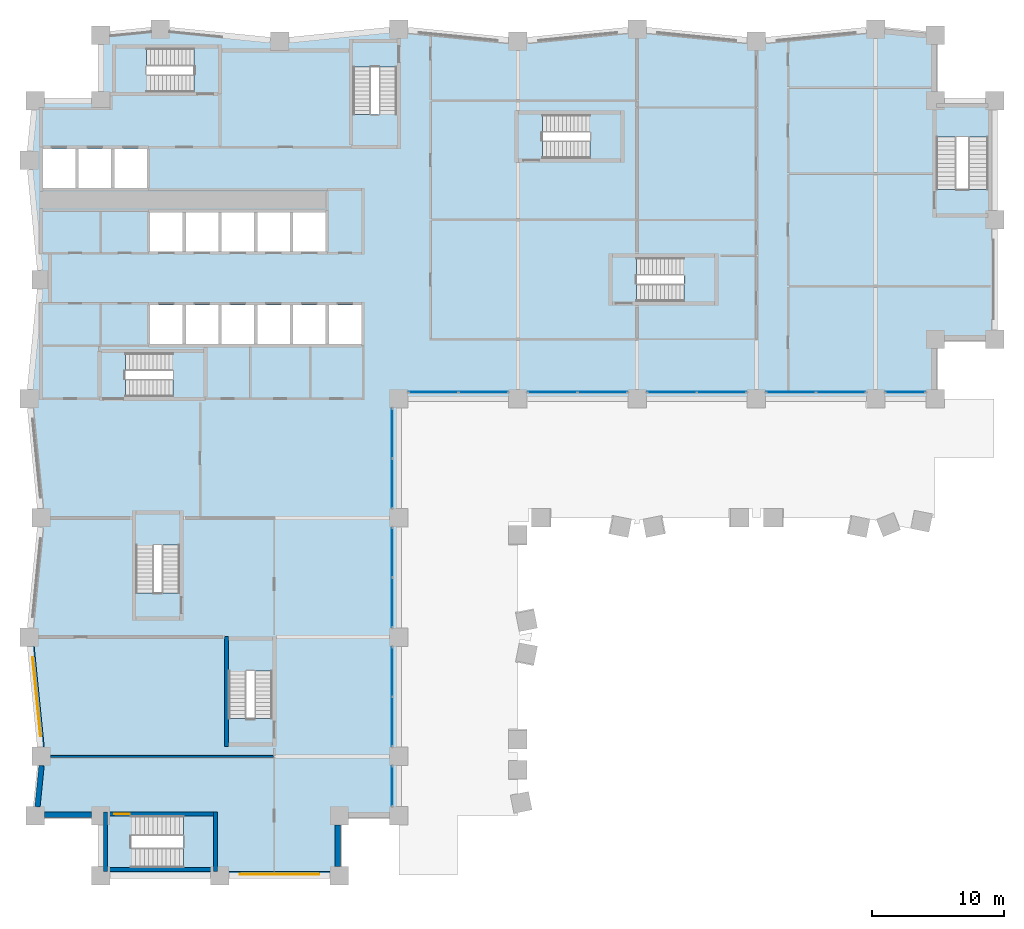
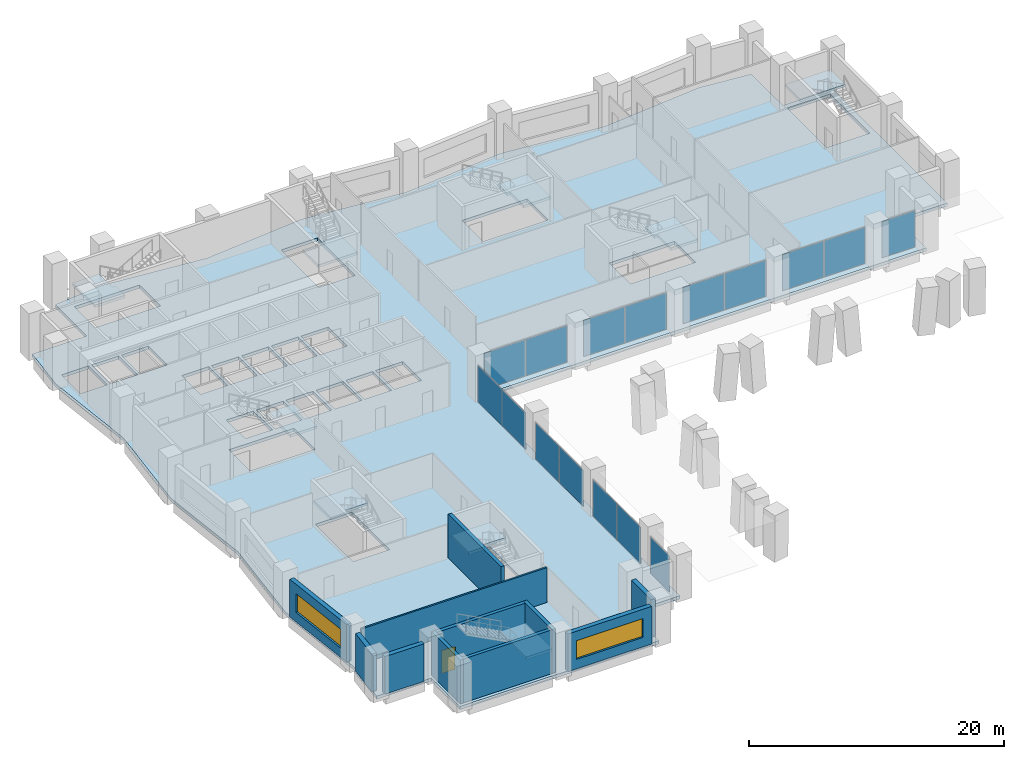
# One storey, part 9 of 18: 16 plates, 11 walls, 10 slabs, 2 windows, 1 door, 3 openings, 18 elements without a shape of their own.
"""IFC4 building model written with IfcOpenShell, lengths in metres."""

from ifc_helpers import new_model, si_unit, direction, frame, frame_2d, origin, origin_2d, place, context, subcontext, project, spatial, polyline, rectangle, outline, extrude, material, layer, layer_set, type_object, element, fill, aggregate, save


model = new_model("IFC4")

# Units and contexts
model_context = context("Model", 3, precision=1e-05, world=origin(), true_north=direction((0.0, 1.0)))
body_context = subcontext(model_context, "Body", "Model", "MODEL_VIEW")
ifc_project = project(units=[si_unit("LENGTHUNIT", "METRE"), si_unit("AREAUNIT", "SQUARE_METRE"), si_unit("VOLUMEUNIT", "CUBIC_METRE"), si_unit("PLANEANGLEUNIT", "RADIAN"), si_unit("MASSUNIT", "GRAM", prefix="KILO")], contexts=[model_context])

# Site, building, storey
site_placement = place(None, origin())
site = spatial("IfcSite", under=ifc_project, at=site_placement, CompositionType="ELEMENT")
building_placement = place(site_placement, origin())
building = spatial("IfcBuilding", under=site, at=building_placement, Name="Brondeck Convention Tower", CompositionType="ELEMENT")
storey_placement = place(building_placement, frame((0.0, 0.0, 27.5)))
storey = spatial("IfcBuildingStorey", under=building, at=storey_placement, Name="L04", CompositionType="ELEMENT", Elevation=27.5)

# Curtain wall, plate
ifc_material_1 = material(Name="Aluminium, bronze anodised", Category="aluminium")
curtain_wall_type = type_object("IfcCurtainWallType", Name="Podium hall curtain wall", PredefinedType="NOTDEFINED", material=ifc_material_1)
curtain_wall_1_placement = place(storey_placement, origin())
curtain_wall_1 = element("IfcCurtainWall", 1, at=curtain_wall_1_placement, inside=storey, type_object=curtain_wall_type, Name="ENV-CW2-L04-B-E-06", PredefinedType="NOTDEFINED")
ifc_material_2 = material(Name="Bronze tinted laminated glass", Category="glass")
ifc_layer_1 = layer(ifc_material_2, 0.009033203125, Name="Outer pane")
ifc_material_3 = material(Name="Argon-filled cavity")
ifc_layer_2 = layer(ifc_material_3, 0.011962890625, Name="Cavity")
ifc_material_4 = material(Name="Clear low-emissivity glass", Category="glass")
ifc_layer_3 = layer(ifc_material_4, 0.009033203125, Name="Inner pane")
ifc_layer_set_1 = layer_set([ifc_layer_1, ifc_layer_2, ifc_layer_3], Name="CW2 glazing panel")
plate_type = type_object("IfcPlateType", Name="CW2 glazing panel", PredefinedType="CURTAIN_PANEL", material=ifc_layer_set_1)
plate_1_placement = place(storey_placement, frame((26.5, 6.75, 0.06005859375), z_axis=(0.0, 0.0, 1.0), x_axis=(0.0, -1.0, 0.0)))
plate_1 = element("IfcPlate", 2, at=plate_1_placement, type_object=plate_type, Name="CW2 panel 1.1", PredefinedType="CURTAIN_PANEL", context=body_context, shape_type="SweptSolid", body=[
    extrude(rectangle(XDim=2.97998046875, YDim=0.030029296875, at=origin_2d()), origin(), (0.0, 0.0, 1.0), 3.47998046875),
])
aggregate(curtain_wall_1, [plate_1])

# Curtain wall, plates
curtain_wall_2_placement = place(storey_placement, origin())
curtain_wall_2 = element("IfcCurtainWall", 3, at=curtain_wall_2_placement, inside=storey, type_object=curtain_wall_type, Name="ENV-CW2-L04-B-E-05", PredefinedType="NOTDEFINED")
plate_2_placement = place(storey_placement, frame((26.5, 15.385009765625, 0.06005859375), z_axis=(0.0, 0.0, 1.0), x_axis=(0.0, -1.0, 0.0)))
plate_2 = element("IfcPlate", 4, at=plate_2_placement, type_object=plate_type, Name="CW2 panel 1.1", PredefinedType="CURTAIN_PANEL", context=body_context, shape_type="SweptSolid", body=[
    extrude(rectangle(XDim=3.7099609375, YDim=0.030029296875, at=origin_2d()), origin(), (0.0, 0.0, 1.0), 3.47998046875),
])
plate_3_placement = place(storey_placement, frame((26.5, 11.614990234375, 0.06005859375), z_axis=(0.0, 0.0, 1.0), x_axis=(0.0, -1.0, 0.0)))
plate_3 = element("IfcPlate", 5, at=plate_3_placement, type_object=plate_type, Name="CW2 panel 2.1", PredefinedType="CURTAIN_PANEL", context=body_context, shape_type="SweptSolid", body=[
    extrude(rectangle(XDim=3.7099609375, YDim=0.030029296875, at=origin_2d()), origin(), (0.0, 0.0, 1.0), 3.47998046875),
])
aggregate(curtain_wall_2, [plate_2, plate_3])

curtain_wall_3_placement = place(storey_placement, origin())
curtain_wall_3 = element("IfcCurtainWall", 6, at=curtain_wall_3_placement, inside=storey, type_object=curtain_wall_type, Name="ENV-CW2-L04-B-E-03", PredefinedType="NOTDEFINED")
plate_4_placement = place(storey_placement, frame((26.5, 24.385009765625, 0.06005859375), z_axis=(0.0, 0.0, 1.0), x_axis=(0.0, -1.0, 0.0)))
plate_4 = element("IfcPlate", 7, at=plate_4_placement, type_object=plate_type, Name="CW2 panel 1.1", PredefinedType="CURTAIN_PANEL", context=body_context, shape_type="SweptSolid", body=[
    extrude(rectangle(XDim=3.7099609375, YDim=0.030029296875, at=origin_2d()), origin(), (0.0, 0.0, 1.0), 3.47998046875),
])
plate_5_placement = place(storey_placement, frame((26.5, 20.614990234375, 0.06005859375), z_axis=(0.0, 0.0, 1.0), x_axis=(0.0, -1.0, 0.0)))
plate_5 = element("IfcPlate", 8, at=plate_5_placement, type_object=plate_type, Name="CW2 panel 2.1", PredefinedType="CURTAIN_PANEL", context=body_context, shape_type="SweptSolid", body=[
    extrude(rectangle(XDim=3.7099609375, YDim=0.030029296875, at=origin_2d()), origin(), (0.0, 0.0, 1.0), 3.47998046875),
])
aggregate(curtain_wall_3, [plate_4, plate_5])

curtain_wall_4_placement = place(storey_placement, origin())
curtain_wall_4 = element("IfcCurtainWall", 9, at=curtain_wall_4_placement, inside=storey, type_object=curtain_wall_type, Name="ENV-CW2-L04-B-E-01", PredefinedType="NOTDEFINED")
plate_6_placement = place(storey_placement, frame((26.5, 33.385009765625, 0.06005859375), z_axis=(0.0, 0.0, 1.0), x_axis=(0.0, -1.0, 0.0)))
plate_6 = element("IfcPlate", 10, at=plate_6_placement, type_object=plate_type, Name="CW2 panel 1.1", PredefinedType="CURTAIN_PANEL", context=body_context, shape_type="SweptSolid", body=[
    extrude(rectangle(XDim=3.7099609375, YDim=0.030029296875, at=origin_2d()), origin(), (0.0, 0.0, 1.0), 3.47998046875),
])
plate_7_placement = place(storey_placement, frame((26.5, 29.614990234375, 0.06005859375), z_axis=(0.0, 0.0, 1.0), x_axis=(0.0, -1.0, 0.0)))
plate_7 = element("IfcPlate", 11, at=plate_7_placement, type_object=plate_type, Name="CW2 panel 2.1", PredefinedType="CURTAIN_PANEL", context=body_context, shape_type="SweptSolid", body=[
    extrude(rectangle(XDim=3.7099609375, YDim=0.030029296875, at=origin_2d()), origin(), (0.0, 0.0, 1.0), 3.47998046875),
])
aggregate(curtain_wall_4, [plate_6, plate_7])

curtain_wall_5_placement = place(storey_placement, origin())
curtain_wall_5 = element("IfcCurtainWall", 12, at=curtain_wall_5_placement, inside=storey, type_object=curtain_wall_type, Name="ENV-CW2-L04-A-S-01", PredefinedType="NOTDEFINED")
plate_8_placement = place(storey_placement, frame((33.385009765625, 36.5, 0.06005859375), z_axis=(0.0, 0.0, 1.0), x_axis=(-1.0, 0.0, 0.0)))
plate_8 = element("IfcPlate", 13, at=plate_8_placement, type_object=plate_type, Name="CW2 panel 1.1", PredefinedType="CURTAIN_PANEL", context=body_context, shape_type="SweptSolid", body=[
    extrude(rectangle(XDim=3.7099609375, YDim=0.030029296875, at=origin_2d()), origin(), (0.0, 0.0, 1.0), 3.47998046875),
])
plate_9_placement = place(storey_placement, frame((29.614990234375, 36.5, 0.06005859375), z_axis=(0.0, 0.0, 1.0), x_axis=(-1.0, 0.0, 0.0)))
plate_9 = element("IfcPlate", 14, at=plate_9_placement, type_object=plate_type, Name="CW2 panel 2.1", PredefinedType="CURTAIN_PANEL", context=body_context, shape_type="SweptSolid", body=[
    extrude(rectangle(XDim=3.7099609375, YDim=0.030029296875, at=origin_2d()), origin(), (0.0, 0.0, 1.0), 3.47998046875),
])
aggregate(curtain_wall_5, [plate_8, plate_9])

curtain_wall_6_placement = place(storey_placement, origin())
curtain_wall_6 = element("IfcCurtainWall", 15, at=curtain_wall_6_placement, inside=storey, type_object=curtain_wall_type, Name="ENV-CW2-L04-A-S-03", PredefinedType="NOTDEFINED")
plate_10_placement = place(storey_placement, frame((42.385009765625, 36.5, 0.06005859375), z_axis=(0.0, 0.0, 1.0), x_axis=(-1.0, 0.0, 0.0)))
plate_10 = element("IfcPlate", 16, at=plate_10_placement, type_object=plate_type, Name="CW2 panel 1.1", PredefinedType="CURTAIN_PANEL", context=body_context, shape_type="SweptSolid", body=[
    extrude(rectangle(XDim=3.7099609375, YDim=0.030029296875, at=origin_2d()), origin(), (0.0, 0.0, 1.0), 3.47998046875),
])
plate_11_placement = place(storey_placement, frame((38.614990234375, 36.5, 0.06005859375), z_axis=(0.0, 0.0, 1.0), x_axis=(-1.0, 0.0, 0.0)))
plate_11 = element("IfcPlate", 17, at=plate_11_placement, type_object=plate_type, Name="CW2 panel 2.1", PredefinedType="CURTAIN_PANEL", context=body_context, shape_type="SweptSolid", body=[
    extrude(rectangle(XDim=3.7099609375, YDim=0.030029296875, at=origin_2d()), origin(), (0.0, 0.0, 1.0), 3.47998046875),
])
aggregate(curtain_wall_6, [plate_10, plate_11])

curtain_wall_7_placement = place(storey_placement, origin())
curtain_wall_7 = element("IfcCurtainWall", 18, at=curtain_wall_7_placement, inside=storey, type_object=curtain_wall_type, Name="ENV-CW2-L04-A-S-05", PredefinedType="NOTDEFINED")
plate_12_placement = place(storey_placement, frame((51.385009765625, 36.5, 0.06005859375), z_axis=(0.0, 0.0, 1.0), x_axis=(-1.0, 0.0, 0.0)))
plate_12 = element("IfcPlate", 19, at=plate_12_placement, type_object=plate_type, Name="CW2 panel 1.1", PredefinedType="CURTAIN_PANEL", context=body_context, shape_type="SweptSolid", body=[
    extrude(rectangle(XDim=3.7099609375, YDim=0.030029296875, at=origin_2d()), origin(), (0.0, 0.0, 1.0), 3.47998046875),
])
plate_13_placement = place(storey_placement, frame((47.614990234375, 36.5, 0.06005859375), z_axis=(0.0, 0.0, 1.0), x_axis=(-1.0, 0.0, 0.0)))
plate_13 = element("IfcPlate", 20, at=plate_13_placement, type_object=plate_type, Name="CW2 panel 2.1", PredefinedType="CURTAIN_PANEL", context=body_context, shape_type="SweptSolid", body=[
    extrude(rectangle(XDim=3.7099609375, YDim=0.030029296875, at=origin_2d()), origin(), (0.0, 0.0, 1.0), 3.47998046875),
])
aggregate(curtain_wall_7, [plate_12, plate_13])

curtain_wall_8_placement = place(storey_placement, origin())
curtain_wall_8 = element("IfcCurtainWall", 21, at=curtain_wall_8_placement, inside=storey, type_object=curtain_wall_type, Name="ENV-CW2-L04-A-S-07", PredefinedType="NOTDEFINED")
plate_14_placement = place(storey_placement, frame((60.385009765625, 36.5, 0.06005859375), z_axis=(0.0, 0.0, 1.0), x_axis=(-1.0, 0.0, 0.0)))
plate_14 = element("IfcPlate", 22, at=plate_14_placement, type_object=plate_type, Name="CW2 panel 1.1", PredefinedType="CURTAIN_PANEL", context=body_context, shape_type="SweptSolid", body=[
    extrude(rectangle(XDim=3.7099609375, YDim=0.030029296875, at=origin_2d()), origin(), (0.0, 0.0, 1.0), 3.47998046875),
])
plate_15_placement = place(storey_placement, frame((56.614990234375, 36.5, 0.06005859375), z_axis=(0.0, 0.0, 1.0), x_axis=(-1.0, 0.0, 0.0)))
plate_15 = element("IfcPlate", 23, at=plate_15_placement, type_object=plate_type, Name="CW2 panel 2.1", PredefinedType="CURTAIN_PANEL", context=body_context, shape_type="SweptSolid", body=[
    extrude(rectangle(XDim=3.7099609375, YDim=0.030029296875, at=origin_2d()), origin(), (0.0, 0.0, 1.0), 3.47998046875),
])
aggregate(curtain_wall_8, [plate_14, plate_15])

# Curtain wall, plate
curtain_wall_9_placement = place(storey_placement, origin())
curtain_wall_9 = element("IfcCurtainWall", 24, at=curtain_wall_9_placement, inside=storey, type_object=curtain_wall_type, Name="ENV-CW2-L04-A-S-08", PredefinedType="NOTDEFINED")
plate_16_placement = place(storey_placement, frame((65.25, 36.5, 0.06005859375), z_axis=(0.0, 0.0, 1.0), x_axis=(-1.0, 0.0, 0.0)))
plate_16 = element("IfcPlate", 25, at=plate_16_placement, type_object=plate_type, Name="CW2 panel 1.1", PredefinedType="CURTAIN_PANEL", context=body_context, shape_type="SweptSolid", body=[
    extrude(rectangle(XDim=2.97998046875, YDim=0.030029296875, at=origin_2d()), origin(), (0.0, 0.0, 1.0), 3.47998046875),
])
aggregate(curtain_wall_9, [plate_16])

# Slab
ifc_material_5 = material(Name="Concrete C35/45", Category="concrete")
ifc_layer_4 = layer(ifc_material_5, 0.300048828125)
ifc_layer_set_2 = layer_set([ifc_layer_4], Name="Composite floor slab 300")
slab_type_1 = type_object("IfcSlabType", Name="Composite floor slab 300", PredefinedType="FLOOR", material=ifc_layer_set_2)
slab_1_placement = place(storey_placement, frame((0.0, 0.0, -0.300048828125)))
element("IfcSlab", 26, at=slab_1_placement, inside=storey, type_object=slab_type_1, Name="STR-SL-L04", PredefinedType="FLOOR", context=body_context, shape_type="SweptSolid", body=[
    extrude(outline(polyline([(4.5, 4.5), (-0.449951171875, 4.5), (0.0, 9.0), (-0.89990234375, 18.0), (0.0, 27.0), (-0.89990234375, 36.0), (0.0, 45.0), (-0.89990234375, 54.0), (-0.449951171875, 58.5), (4.5, 58.5), (4.5, 63.449951171875), (9.0, 63.89990234375), (18.0, 63.0), (27.0, 63.89990234375), (36.0, 63.0), (45.0, 63.89990234375), (54.0, 63.0), (63.0, 63.89990234375), (67.5, 63.449951171875), (67.5, 58.5), (72.0, 58.5), (72.0, 40.5), (67.5, 40.5), (67.5, 36.0), (27.0, 36.0), (27.0, 4.5), (22.5, 4.5), (22.5, 0.0), (4.5, 0.0), (4.5, 4.5)]), holes=[polyline([(12.998046875, 0.60205078125), (12.998046875, 4.498046875), (6.802001953125, 4.498046875), (6.802001953125, 0.60205078125), (12.998046875, 0.60205078125)]), polyline([(10.447998046875, 27.248046875), (7.152099609375, 27.248046875), (7.152099609375, 21.35205078125), (10.447998046875, 21.35205078125), (10.447998046875, 27.248046875)]), polyline([(12.248046875, 36.152099609375), (12.248046875, 39.447998046875), (6.35205078125, 39.447998046875), (6.35205078125, 36.152099609375), (12.248046875, 36.152099609375)]), polyline([(8.22509765625, 40.125), (10.675048828125, 40.125), (10.675048828125, 43.074951171875), (8.22509765625, 43.074951171875), (8.22509765625, 40.125)]), polyline([(10.925048828125, 40.125), (13.375, 40.125), (13.375, 43.074951171875), (10.925048828125, 43.074951171875), (10.925048828125, 40.125)]), polyline([(10.675048828125, 47.125), (10.675048828125, 50.074951171875), (8.22509765625, 50.074951171875), (8.22509765625, 47.125), (10.675048828125, 47.125)]), polyline([(10.925048828125, 47.125), (13.375, 47.125), (13.375, 50.074951171875), (10.925048828125, 50.074951171875), (10.925048828125, 47.125)]), polyline([(13.625, 47.125), (16.074951171875, 47.125), (16.074951171875, 50.074951171875), (13.625, 50.074951171875), (13.625, 47.125)]), polyline([(2.574951171875, 51.925048828125), (2.574951171875, 54.875), (0.125, 54.875), (0.125, 51.925048828125), (2.574951171875, 51.925048828125)]), polyline([(2.824951171875, 51.925048828125), (5.27490234375, 51.925048828125), (5.27490234375, 54.875), (2.824951171875, 54.875), (2.824951171875, 51.925048828125)]), polyline([(5.52490234375, 51.925048828125), (7.97509765625, 51.925048828125), (7.97509765625, 54.875), (5.52490234375, 54.875), (5.52490234375, 51.925048828125)]), polyline([(5.652099609375, 62.447998046875), (5.652099609375, 59.152099609375), (11.548095703125, 59.152099609375), (11.548095703125, 62.447998046875), (5.652099609375, 62.447998046875)]), polyline([(17.447998046875, 11.85205078125), (17.447998046875, 17.748046875), (14.152099609375, 17.748046875), (14.152099609375, 11.85205078125), (17.447998046875, 11.85205078125)]), polyline([(13.625, 40.125), (16.074951171875, 40.125), (16.074951171875, 43.074951171875), (13.625, 43.074951171875), (13.625, 40.125)]), polyline([(18.77490234375, 40.125), (18.77490234375, 43.074951171875), (16.324951171875, 43.074951171875), (16.324951171875, 40.125), (18.77490234375, 40.125)]), polyline([(19.02490234375, 40.125), (21.47509765625, 40.125), (21.47509765625, 43.074951171875), (19.02490234375, 43.074951171875), (19.02490234375, 40.125)]), polyline([(21.72509765625, 40.125), (24.175048828125, 40.125), (24.175048828125, 43.074951171875), (21.72509765625, 43.074951171875), (21.72509765625, 40.125)]), polyline([(50.847900390625, 43.35205078125), (50.847900390625, 46.64794921875), (44.951904296875, 46.64794921875), (44.951904296875, 43.35205078125), (50.847900390625, 43.35205078125)]), polyline([(16.324951171875, 47.125), (18.77490234375, 47.125), (18.77490234375, 50.074951171875), (16.324951171875, 50.074951171875), (16.324951171875, 47.125)]), polyline([(19.02490234375, 47.125), (21.47509765625, 47.125), (21.47509765625, 50.074951171875), (19.02490234375, 50.074951171875), (19.02490234375, 47.125)]), polyline([(71.498046875, 57.998046875), (67.60205078125, 57.998046875), (67.60205078125, 51.802001953125), (71.498046875, 51.802001953125), (71.498046875, 57.998046875)]), polyline([(37.85205078125, 54.152099609375), (43.748046875, 54.152099609375), (43.748046875, 57.447998046875), (37.85205078125, 57.447998046875), (37.85205078125, 54.152099609375)]), polyline([(23.552001953125, 61.048095703125), (23.552001953125, 55.152099609375), (26.847900390625, 55.152099609375), (26.847900390625, 61.048095703125), (23.552001953125, 61.048095703125)])]), origin(), (0.0, 0.0, 1.0), 0.300048828125),
])

# Stair, slab
ifc_material_6 = material(Name="Precast concrete C50/60", Category="concrete")
stair_type_1 = type_object("IfcStairType", Name="Core stair 26 risers 173.08 mm riser 300 mm going 1350 wide", PredefinedType="HALF_TURN_STAIR", material=ifc_material_6)
stair_1_placement = place(storey_placement, origin())
stair_1 = element("IfcStair", 27, at=stair_1_placement, inside=storey, type_object=stair_type_1, Name="ST-1 L04 stair", PredefinedType="HALF_TURN_STAIR")
ifc_layer_5 = layer(ifc_material_6, 0.25)
ifc_layer_set_3 = layer_set([ifc_layer_5], Name="Core stair landing 250 Precast concrete C50/60")
slab_type_2 = type_object("IfcSlabType", Name="Core stair landing 250 Precast concrete C50/60", PredefinedType="LANDING", material=ifc_layer_set_3)
slab_2_placement = place(storey_placement, frame((0.0, 0.0, 2.0)))
slab_2 = element("IfcSlab", 28, at=slab_2_placement, type_object=slab_type_2, Name="ST-1 landing 1", PredefinedType="LANDING", context=body_context, shape_type="SweptSolid", body=[
    extrude(outline(polyline([(9.947998046875, 37.5), (9.949951171875, 37.5), (9.949951171875, 38.10009765625), (9.64990234375, 38.10009765625), (9.64990234375, 39.570068359375), (12.3701171875, 39.570068359375), (12.3701171875, 36.030029296875), (9.947998046875, 36.030029296875), (9.947998046875, 37.5)])), origin(), (0.0, 0.0, 1.0), 0.25),
])
aggregate(stair_1, [slab_2])

stair_2_placement = place(storey_placement, origin())
stair_2 = element("IfcStair", 29, at=stair_2_placement, inside=storey, type_object=stair_type_1, Name="ST-2 L04 stair", PredefinedType="HALF_TURN_STAIR")
slab_3_placement = place(storey_placement, frame((0.0, 0.0, 2.0)))
slab_3 = element("IfcSlab", 30, at=slab_3_placement, type_object=slab_type_2, Name="ST-2 landing 1", PredefinedType="LANDING", context=body_context, shape_type="SweptSolid", body=[
    extrude(outline(polyline([(23.429931640625, 57.451904296875), (24.89990234375, 57.451904296875), (24.89990234375, 57.449951171875), (25.5, 57.449951171875), (25.5, 57.75), (26.969970703125, 57.75), (26.969970703125, 55.030029296875), (23.429931640625, 55.030029296875), (23.429931640625, 57.451904296875)])), origin(), (0.0, 0.0, 1.0), 0.25),
])
aggregate(stair_2, [slab_3])

stair_3_placement = place(storey_placement, origin())
stair_3 = element("IfcStair", 31, at=stair_3_placement, inside=storey, type_object=stair_type_1, Name="ST-3 L04 stair", PredefinedType="HALF_TURN_STAIR")
slab_4_placement = place(storey_placement, frame((0.0, 0.0, 2.0)))
slab_4 = element("IfcSlab", 32, at=slab_4_placement, type_object=slab_type_2, Name="ST-3 landing 1", PredefinedType="LANDING", context=body_context, shape_type="SweptSolid", body=[
    extrude(outline(polyline([(8.25, 60.5), (8.25, 59.030029296875), (5.530029296875, 59.030029296875), (5.530029296875, 62.570068359375), (7.951904296875, 62.570068359375), (7.951904296875, 61.10009765625), (7.949951171875, 61.10009765625), (7.949951171875, 60.5), (8.25, 60.5)])), origin(), (0.0, 0.0, 1.0), 0.25),
])
aggregate(stair_3, [slab_4])

stair_4_placement = place(storey_placement, origin())
stair_4 = element("IfcStair", 33, at=stair_4_placement, inside=storey, type_object=stair_type_1, Name="ST-AE L04 stair", PredefinedType="HALF_TURN_STAIR")
slab_5_placement = place(storey_placement, frame((0.0, 0.0, 2.0)))
slab_5 = element("IfcSlab", 34, at=slab_5_placement, type_object=slab_type_2, Name="ST-AE landing 1", PredefinedType="LANDING", context=body_context, shape_type="SweptSolid", body=[
    extrude(outline(polyline([(41.447998046875, 55.5), (41.449951171875, 55.5), (41.449951171875, 56.10009765625), (41.14990234375, 56.10009765625), (41.14990234375, 57.570068359375), (43.8701171875, 57.570068359375), (43.8701171875, 54.030029296875), (41.447998046875, 54.030029296875), (41.447998046875, 55.5)])), origin(), (0.0, 0.0, 1.0), 0.25),
])
aggregate(stair_4, [slab_5])

stair_5_placement = place(storey_placement, origin())
stair_5 = element("IfcStair", 35, at=stair_5_placement, inside=storey, type_object=stair_type_1, Name="ST-BE L04 stair", PredefinedType="HALF_TURN_STAIR")
slab_6_placement = place(storey_placement, frame((0.0, 0.0, 2.0)))
slab_6 = element("IfcSlab", 36, at=slab_6_placement, type_object=slab_type_2, Name="ST-BE landing 1", PredefinedType="LANDING", context=body_context, shape_type="SweptSolid", body=[
    extrude(outline(polyline([(7.030029296875, 24.64990234375), (7.030029296875, 27.3701171875), (10.570068359375, 27.3701171875), (10.570068359375, 24.947998046875), (9.10009765625, 24.947998046875), (9.10009765625, 24.949951171875), (8.5, 24.949951171875), (8.5, 24.64990234375), (7.030029296875, 24.64990234375)])), origin(), (0.0, 0.0, 1.0), 0.25),
])
aggregate(stair_5, [slab_6])

stair_6_placement = place(storey_placement, origin())
stair_6 = element("IfcStair", 37, at=stair_6_placement, inside=storey, type_object=stair_type_1, Name="ST-AF L04 stair", PredefinedType="HALF_TURN_STAIR")
slab_7_placement = place(storey_placement, frame((0.0, 0.0, 2.0)))
slab_7 = element("IfcSlab", 38, at=slab_7_placement, type_object=slab_type_2, Name="ST-AF landing 1", PredefinedType="LANDING", context=body_context, shape_type="SweptSolid", body=[
    extrude(outline(polyline([(48.548095703125, 44.699951171875), (48.550048828125, 44.699951171875), (48.550048828125, 45.300048828125), (48.25, 45.300048828125), (48.25, 46.77001953125), (50.969970703125, 46.77001953125), (50.969970703125, 43.22998046875), (48.548095703125, 43.22998046875), (48.548095703125, 44.699951171875)])), origin(), (0.0, 0.0, 1.0), 0.25),
])
aggregate(stair_6, [slab_7])

stair_7_placement = place(storey_placement, origin())
stair_7 = element("IfcStair", 39, at=stair_7_placement, inside=storey, type_object=stair_type_1, Name="ST-BF L04 stair", PredefinedType="HALF_TURN_STAIR")
slab_8_placement = place(storey_placement, frame((0.0, 0.0, 2.0)))
slab_8 = element("IfcSlab", 40, at=slab_8_placement, type_object=slab_type_2, Name="ST-BF landing 1", PredefinedType="LANDING", context=body_context, shape_type="SweptSolid", body=[
    extrude(outline(polyline([(14.030029296875, 15.14990234375), (14.030029296875, 17.8701171875), (17.570068359375, 17.8701171875), (17.570068359375, 15.447998046875), (16.10009765625, 15.447998046875), (16.10009765625, 15.449951171875), (15.5, 15.449951171875), (15.5, 15.14990234375), (14.030029296875, 15.14990234375)])), origin(), (0.0, 0.0, 1.0), 0.25),
])
aggregate(stair_7, [slab_8])

stair_type_2 = type_object("IfcStairType", Name="Core stair 26 risers 173.08 mm riser 330 mm going 1500 wide", PredefinedType="HALF_TURN_STAIR", material=ifc_material_6)
stair_8_placement = place(storey_placement, origin())
stair_8 = element("IfcStair", 41, at=stair_8_placement, inside=storey, type_object=stair_type_2, Name="PS-1 L04 stair", PredefinedType="HALF_TURN_STAIR")
slab_9_placement = place(storey_placement, frame((0.0, 0.0, 2.0)))
slab_9 = element("IfcSlab", 42, at=slab_9_placement, type_object=slab_type_2, Name="PS-1 landing 1", PredefinedType="LANDING", context=body_context, shape_type="SweptSolid", body=[
    extrude(outline(polyline([(69.10009765625, 55.758056640625), (67.47998046875, 55.758056640625), (67.47998046875, 58.1201171875), (71.6201171875, 58.1201171875), (71.6201171875, 55.758056640625), (70.0, 55.758056640625), (70.0, 55.760009765625), (69.10009765625, 55.760009765625), (69.10009765625, 55.758056640625)])), origin(), (0.0, 0.0, 1.0), 0.25),
])
aggregate(stair_8, [slab_9])

stair_9_placement = place(storey_placement, origin())
stair_9 = element("IfcStair", 43, at=stair_9_placement, inside=storey, type_object=stair_type_2, Name="PS-2 L04 stair", PredefinedType="HALF_TURN_STAIR")
slab_10_placement = place(storey_placement, frame((0.0, 0.0, 2.0)))
slab_10 = element("IfcSlab", 44, at=slab_10_placement, type_object=slab_type_2, Name="PS-2 landing 1", PredefinedType="LANDING", context=body_context, shape_type="SweptSolid", body=[
    extrude(outline(polyline([(10.758056640625, 0.47998046875), (10.758056640625, 2.10009765625), (10.760009765625, 2.10009765625), (10.760009765625, 3.0), (10.758056640625, 3.0), (10.758056640625, 4.6201171875), (13.1201171875, 4.6201171875), (13.1201171875, 0.47998046875), (10.758056640625, 0.47998046875)])), origin(), (0.0, 0.0, 1.0), 0.25),
])
aggregate(stair_9, [slab_10])

# Wall, opening, window
ifc_material_7 = material(Name="Limestone", Category="masonry")
ifc_layer_6 = layer(ifc_material_7, 0.10009765625, Name="Limestone facing")
ifc_material_8 = material(Name="Mineral wool")
ifc_layer_7 = layer(ifc_material_8, 0.159912109375, Name="Insulation")
ifc_layer_8 = layer(ifc_material_5, 0.139892578125, Name="Backing")
ifc_layer_set_4 = layer_set([ifc_layer_6, ifc_layer_7, ifc_layer_8], Name="External wall, limestone cladding")
wall_type_1 = type_object("IfcWallType", Name="External wall, limestone cladding", PredefinedType="SOLIDWALL", material=ifc_layer_set_4)
wall_1_placement = place(storey_placement, frame((21.800048828125, 0.10009765625, 0.0), z_axis=(0.0, 0.0, 1.0), x_axis=(-1.0, 0.0, 0.0)))
wall_1 = element("IfcWall", 45, at=wall_1_placement, inside=storey, type_object=wall_type_1, Name="ENV-EW-L04-BASE-B-S-04", PredefinedType="SOLIDWALL", context=body_context, shape_type="SweptSolid", body=[
    extrude(rectangle(XDim=7.60009765625, YDim=0.39990234375, at=frame_2d((3.800048828125, 0.0))), origin(), (0.0, 0.0, 1.0), 3.60009765625),
])
opening_1_placement = place(wall_1_placement, frame((0.800048828125, 0.0, 0.89990234375)))
opening_1 = element("IfcOpeningElement", 46, at=opening_1_placement, cuts=wall_1, Name="Opening W4", PredefinedType="OPENING", context=body_context, shape_type="SweptSolid", body=[
    extrude(rectangle(XDim=6.0, YDim=1.800048828125, at=frame_2d((3.0, 0.89990234375))), frame((0.0, 0.2099609375, 0.0), z_axis=(0.0, -1.0, 0.0), x_axis=(1.0, 0.0, 0.0)), (0.0, 0.0, 1.0), 0.419921875),
])
ifc_material_9 = material(Name="Bronze tinted double glazing", Category="glass")
window_type = type_object("IfcWindowType", Name="Podium ribbon window, bronze tinted", PartitioningType="SINGLE_PANEL", PredefinedType="WINDOW", material=ifc_material_9)
window_1_placement = place(opening_1_placement, origin())
window_1 = element("IfcWindow", 47, at=window_1_placement, inside=storey, type_object=window_type, Name="ENV-WN-L04-BASE-B-S-04", OverallHeight=1.800048828125, OverallWidth=6.0, PartitioningType="SINGLE_PANEL", PredefinedType="WINDOW", context=body_context, shape_type="SweptSolid", body=[
    extrude(rectangle(XDim=6.0, YDim=1.800048828125, at=frame_2d((3.0, 0.89990234375))), frame((0.0, 0.030029296875, 0.0), z_axis=(0.0, -1.0, 0.0), x_axis=(1.0, 0.0, 0.0)), (0.0, 0.0, 1.0), 0.06005859375),
])
fill(opening_1, window_1)

# Wall
wall_2_placement = place(storey_placement, frame((22.39990234375, 3.800048828125, 0.0), z_axis=(0.0, 0.0, 1.0), x_axis=(0.0, -1.0, 0.0)))
element("IfcWall", 48, at=wall_2_placement, inside=storey, type_object=wall_type_1, Name="ENV-EW-L04-BASE-NC-SEB-01", PredefinedType="SOLIDWALL", context=body_context, shape_type="SweptSolid", body=[
    extrude(rectangle(XDim=3.10009765625, YDim=0.39990234375, at=frame_2d((1.550048828125, 0.0))), origin(), (0.0, 0.0, 1.0), 3.60009765625),
])

# Wall, opening, window
wall_3_placement = place(storey_placement, frame((0.02978515625, 9.70654296875, 0.0), z_axis=(0.0, 0.0, 1.0), x_axis=(-0.099478423711, 0.995039719416, 0.0)))
wall_3 = element("IfcWall", 49, at=wall_3_placement, inside=storey, type_object=wall_type_1, Name="ENV-EW-L04-BASE-B-W-11", PredefinedType="SOLIDWALL", context=body_context, shape_type="SweptSolid", body=[
    extrude(rectangle(XDim=7.644775390625, YDim=0.39990234375, at=frame_2d((3.822265625, 0.0))), origin(), (0.0, 0.0, 1.0), 3.60009765625),
])
opening_2_placement = place(wall_3_placement, frame((0.822509765625, 0.0, 0.89990234375)))
opening_2 = element("IfcOpeningElement", 50, at=opening_2_placement, cuts=wall_3, Name="Opening W4", PredefinedType="OPENING", context=body_context, shape_type="SweptSolid", body=[
    extrude(rectangle(XDim=6.0, YDim=1.800048828125, at=frame_2d((3.0, 0.89990234375))), frame((0.0, 0.2099609375, 0.0), z_axis=(0.0, -1.0, 0.0), x_axis=(1.0, 0.0, 0.0)), (0.0, 0.0, 1.0), 0.419921875),
])
window_2_placement = place(opening_2_placement, origin())
window_2 = element("IfcWindow", 51, at=window_2_placement, inside=storey, type_object=window_type, Name="ENV-WN-L04-BASE-B-W-11", OverallHeight=1.800048828125, OverallWidth=6.0, PartitioningType="SINGLE_PANEL", PredefinedType="WINDOW", context=body_context, shape_type="SweptSolid", body=[
    extrude(rectangle(XDim=6.0, YDim=1.800048828125, at=frame_2d((3.0, 0.89990234375))), frame((0.0, 0.030029296875, 0.0), z_axis=(0.0, -1.0, 0.0), x_axis=(1.0, 0.0, 0.0)), (0.0, 0.0, 1.0), 0.06005859375),
])
fill(opening_2, window_2)

# Walls
wall_4_placement = place(storey_placement, frame((-0.28076171875, 5.1865234375, 0.0), z_axis=(0.0, 0.0, 1.0), x_axis=(0.099457269599, 0.995041834057, 0.0)))
element("IfcWall", 52, at=wall_4_placement, inside=storey, type_object=wall_type_1, Name="ENV-EW-L04-BASE-B-W-12", PredefinedType="SOLIDWALL", context=body_context, shape_type="SweptSolid", body=[
    extrude(rectangle(XDim=3.122314453125, YDim=0.39990234375, at=frame_2d((1.56103515625, 0.0))), origin(), (0.0, 0.0, 1.0), 3.60009765625),
])
wall_5_placement = place(storey_placement, frame((3.800048828125, 4.60009765625, 0.0), z_axis=(0.0, 0.0, 1.0), x_axis=(-1.0, 0.0, 0.0)))
element("IfcWall", 53, at=wall_5_placement, inside=storey, type_object=wall_type_1, Name="ENV-EW-L04-BASE-NC-SWB-01", PredefinedType="SOLIDWALL", context=body_context, shape_type="SweptSolid", body=[
    extrude(rectangle(XDim=3.550048828125, YDim=0.39990234375, at=frame_2d((1.77490234375, 0.0))), origin(), (0.0, 0.0, 1.0), 3.60009765625),
])
ifc_material_10 = material(Name="Double gypsum board acoustic wall")
ifc_layer_9 = layer(ifc_material_10, 0.14990234375)
ifc_layer_set_5 = layer_set([ifc_layer_9], Name="Guest room party wall 150")
wall_type_2 = type_object("IfcWallType", Name="Guest room party wall 150", PredefinedType="PARTITIONING", material=ifc_layer_set_5)
wall_6_placement = place(storey_placement, frame((0.719970703125, 9.0, 0.0), z_axis=(0.0, 0.0, 1.0), x_axis=(1.0, 0.0, 0.0)))
element("IfcWall", 54, at=wall_6_placement, inside=storey, type_object=wall_type_2, Name="FLR-L04-W002", PredefinedType="PARTITIONING", context=body_context, shape_type="SweptSolid", body=[
    extrude(rectangle(XDim=16.804931640625, YDim=0.14990234375, at=frame_2d((8.40234375, 0.0))), origin(), (0.0, 0.0, 1.0), 3.330078125),
])
ifc_material_11 = material(Name="Concrete C80/95", Category="concrete")
ifc_layer_10 = layer(ifc_material_11, 0.300048828125)
ifc_layer_set_6 = layer_set([ifc_layer_10], Name="Stair enclosure wall 300 Concrete C80/95")
wall_type_3 = type_object("IfcWallType", Name="Stair enclosure wall 300 Concrete C80/95", PredefinedType="SHEAR", material=ifc_layer_set_6)
wall_7_placement = place(storey_placement, frame((5.0, 0.449951171875, 0.0), z_axis=(0.0, 0.0, 1.0), x_axis=(1.0, 0.0, 0.0)))
element("IfcWall", 55, at=wall_7_placement, inside=storey, type_object=wall_type_3, Name="L04 core wall", PredefinedType="SHEAR", context=body_context, shape_type="SweptSolid", body=[
    extrude(rectangle(XDim=8.0, YDim=0.300048828125, at=frame_2d((4.0, 0.0))), origin(), (0.0, 0.0, 1.0), 4.199951171875),
])

# Wall, opening, door
wall_8_placement = place(storey_placement, frame((5.0, 4.64990234375, 0.0), z_axis=(0.0, 0.0, 1.0), x_axis=(1.0, 0.0, 0.0)))
wall_8 = element("IfcWall", 56, at=wall_8_placement, inside=storey, type_object=wall_type_3, Name="L04 core wall", PredefinedType="SHEAR", context=body_context, shape_type="SweptSolid", body=[
    extrude(rectangle(XDim=8.0, YDim=0.300048828125, at=frame_2d((4.0, 0.0))), origin(), (0.0, 0.0, 1.0), 4.199951171875),
])
opening_3_placement = place(wall_8_placement, frame((0.5, 0.0, 0.0)))
opening_3 = element("IfcOpeningElement", 57, at=opening_3_placement, cuts=wall_8, Name="Opening C06-13", PredefinedType="OPENING", context=body_context, shape_type="SweptSolid", body=[
    extrude(rectangle(XDim=1.199951171875, YDim=2.199951171875, at=frame_2d((0.60009765625, 1.10009765625))), frame((0.0, 0.159912109375, 0.0), z_axis=(0.0, -1.0, 0.0), x_axis=(1.0, 0.0, 0.0)), (0.0, 0.0, 1.0), 0.320068359375),
])
ifc_material_12 = material(Name="Steel fire door", Category="steel")
door_type = type_object("IfcDoorType", Name="Stair door 1200x2200 EI 90", OperationType="NOTDEFINED", PredefinedType="DOOR", material=ifc_material_12)
door_placement = place(opening_3_placement, origin())
door = element("IfcDoor", 58, at=door_placement, inside=storey, type_object=door_type, Name="L04 Stair door PS-2", OperationType="SINGLE_SWING_LEFT", OverallHeight=2.199951171875, OverallWidth=1.199951171875, PredefinedType="DOOR", context=body_context, shape_type="SweptSolid", body=[
    extrude(rectangle(XDim=1.199951171875, YDim=2.199951171875, at=frame_2d((0.60009765625, 1.10009765625))), frame((0.0, 0.02490234375, 0.0), z_axis=(0.0, -1.0, 0.0), x_axis=(1.0, 0.0, 0.0)), (0.0, 0.0, 1.0), 0.050048828125),
])
fill(opening_3, door)

# Walls
for number, where, z_axis, x_axis, name in (
    (59, (4.85009765625, 0.300048828125, 0.0), (0.0, 0.0, 1.0), (0.0, 1.0, 0.0), "L04 core wall"),
    (60, (13.14990234375, 0.300048828125, 0.0), (0.0, 0.0, 1.0), (0.0, 1.0, 0.0), "L04 core wall"),
):
    element("IfcWall", number, at=place(storey_placement, frame(where, z_axis=z_axis, x_axis=x_axis)), inside=storey, type_object=wall_type_3, Name=name, PredefinedType="SHEAR", context=body_context, shape_type="SweptSolid", body=[
        extrude(rectangle(XDim=4.5, YDim=0.300048828125, at=frame_2d((2.25, 0.0))), origin(), (0.0, 0.0, 1.0), 4.199951171875),
    ])
wall_9_placement = place(storey_placement, frame((14.0, 9.75, 0.0), z_axis=(0.0, 0.0, 1.0), x_axis=(0.0, 1.0, 0.0)))
element("IfcWall", 61, at=wall_9_placement, inside=storey, type_object=wall_type_3, Name="L04 core wall", PredefinedType="SHEAR", context=body_context, shape_type="SweptSolid", body=[
    extrude(rectangle(XDim=8.300048828125, YDim=0.300048828125, at=frame_2d((4.14990234375, 0.0))), origin(), (0.0, 0.0, 1.0), 4.199951171875),
])

save(model, "model.ifc")
